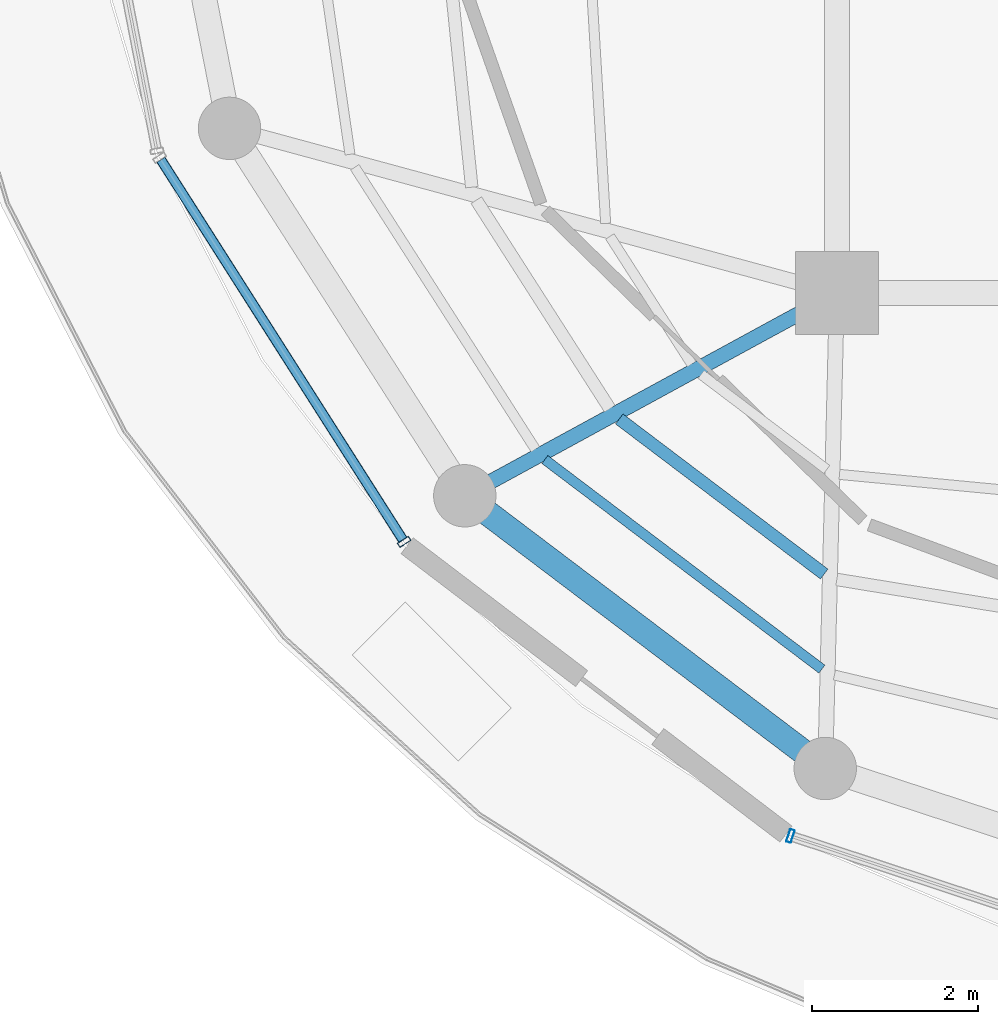
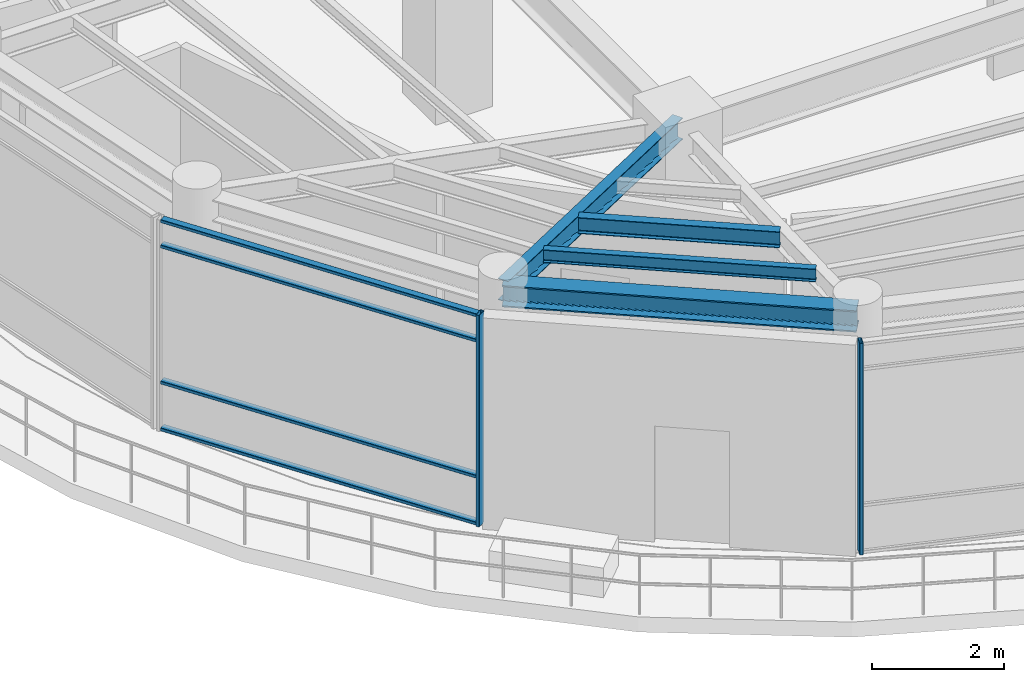
# One storey, part 2 of 20: 6 members, 4 beams, 2 elements without a shape of their own.
"""IFC4 building model written with IfcOpenShell, lengths in metres."""

from ifc_helpers import new_model, si_unit, direction, frame, origin, origin_2d, place, context, subcontext, project, spatial, hollow_rectangle, i_section, extrude, material, layer, layer_set, material_profile, profile_set, type_object, element, aggregate, save


model = new_model("IFC4")

# Units and contexts
model_context = context("Model", 3, precision=1e-05, world=origin(), true_north=direction((0.0, 1.0)))
body_context = subcontext(model_context, "Body", "Model", "MODEL_VIEW")
ifc_project = project(units=[si_unit("LENGTHUNIT", "METRE"), si_unit("AREAUNIT", "SQUARE_METRE"), si_unit("VOLUMEUNIT", "CUBIC_METRE"), si_unit("PLANEANGLEUNIT", "RADIAN"), si_unit("MASSUNIT", "GRAM", prefix="KILO")], contexts=[model_context])

# Site, building, storey
site_placement = place(None, origin())
site = spatial("IfcSite", under=ifc_project, at=site_placement, CompositionType="ELEMENT")
building_placement = place(site_placement, origin())
building = spatial("IfcBuilding", under=site, at=building_placement, Name="Kelanora Arch Commons", CompositionType="ELEMENT")
storey_placement = place(building_placement, frame((0.0, 0.0, 298.5)))
storey = spatial("IfcBuildingStorey", under=building, at=storey_placement, Name="L76", CompositionType="ELEMENT", Elevation=298.5)

# Beams
ifc_material_1 = material(Name="Steel S355", Category="steel")
ifc_material_profile_1 = material_profile(ifc_material_1, i_section(OverallWidth=0.14990234375, OverallDepth=0.300048828125, WebThickness=0.007080078125, FlangeThickness=0.0107421875, FilletRadius=0.014892578125, at=origin_2d()), Name="IPE300")
ifc_profile_set_1 = profile_set([ifc_material_profile_1], Name="Steel S355")
beam_type_1 = type_object("IfcBeamType", Name="BM-JST-01", PredefinedType="JOIST", material=ifc_profile_set_1)
beam_1_placement = place(storey_placement, frame((63.385009765625, 49.487060546875, 3.7900390625), z_axis=(0.797441333972, -0.603396485632, 0.0), x_axis=(0.603396485632, 0.797441333972, 0.0)))
element("IfcBeam", 1, at=beam_1_placement, inside=storey, type_object=beam_type_1, Name="Secondary Chord Joist BJB-22 L76", PredefinedType="JOIST", context=body_context, shape_type="SweptSolid", body=[
    extrude(i_section(OverallWidth=0.14990234375, OverallDepth=0.300048828125, WebThickness=0.007080078125, FlangeThickness=0.0107421875, FilletRadius=0.014892578125, at=origin_2d()), origin(), (0.0, 0.0, 1.0), 3.0888671875),
])
ifc_material_profile_2 = material_profile(ifc_material_1, i_section(OverallWidth=0.1201171875, OverallDepth=0.239990234375, WebThickness=0.006103515625, FlangeThickness=0.009765625, FilletRadius=0.014892578125, at=origin_2d()), Name="IPE240")
ifc_profile_set_2 = profile_set([ifc_material_profile_2], Name="Steel S355")
beam_type_2 = type_object("IfcBeamType", Name="BM-JST-02", PredefinedType="JOIST", material=ifc_profile_set_2)
beam_2_placement = place(storey_placement, frame((62.49072265625, 48.999755859375, 3.820068359375), z_axis=(0.797480905842, -0.603344184373, 0.0), x_axis=(0.603344184373, 0.797480905842, 0.0)))
element("IfcBeam", 2, at=beam_2_placement, inside=storey, type_object=beam_type_2, Name="Secondary Chord Joist BJC-22 L76", PredefinedType="JOIST", context=body_context, shape_type="SweptSolid", body=[
    extrude(i_section(OverallWidth=0.1201171875, OverallDepth=0.239990234375, WebThickness=0.006103515625, FlangeThickness=0.009765625, FilletRadius=0.014892578125, at=origin_2d()), origin(), (0.0, 0.0, 1.0), 4.175048828125),
])
ifc_material_profile_3 = material_profile(ifc_material_1, i_section(OverallWidth=0.179931640625, OverallDepth=0.39990234375, WebThickness=0.008544921875, FlangeThickness=0.013427734375, FilletRadius=0.02099609375, at=origin_2d()), Name="IPE400")
ifc_profile_set_3 = profile_set([ifc_material_profile_3], Name="Steel S355")
beam_type_3 = type_object("IfcBeamType", Name="BM-RAD-Z5", PredefinedType="BEAM", material=ifc_profile_set_3)
beam_3_placement = place(storey_placement, frame((66.0, 51.0, 3.739990234375), z_axis=(-0.878126355987, -0.478428785631, 0.0), x_axis=(0.478428785631, -0.878126355987, 0.0)))
element("IfcBeam", 3, at=beam_3_placement, inside=storey, type_object=beam_type_3, Name="Radial Floor Girder BR-22 L76", PredefinedType="BEAM", context=body_context, shape_type="SweptSolid", body=[
    extrude(i_section(OverallWidth=0.179931640625, OverallDepth=0.39990234375, WebThickness=0.008544921875, FlangeThickness=0.013427734375, FilletRadius=0.02099609375, at=origin_2d()), origin(), (0.0, 0.0, 1.0), 5.091796875),
])
ifc_material_profile_4 = material_profile(ifc_material_1, i_section(OverallWidth=0.300048828125, OverallDepth=0.39990234375, WebThickness=0.013427734375, FlangeThickness=0.02392578125, FilletRadius=0.027099609375, at=origin_2d()), Name="HEB400")
ifc_profile_set_4 = profile_set([ifc_material_profile_4], Name="Steel S355")
beam_type_4 = type_object("IfcBeamType", Name="BM-SPN-Z4", PredefinedType="SPANDREL", material=ifc_profile_set_4)
beam_4_placement = place(storey_placement, frame((61.52880859375, 48.56396484375, 3.739990234375), z_axis=(0.797441458309, -0.603396321309, 0.0), x_axis=(0.603396321309, 0.797441458309, 0.0)))
element("IfcBeam", 4, at=beam_4_placement, inside=storey, type_object=beam_type_4, Name="Perimeter Spandrel Beam BS-22 L76", PredefinedType="SPANDREL", context=body_context, shape_type="SweptSolid", body=[
    extrude(i_section(OverallWidth=0.300048828125, OverallDepth=0.39990234375, WebThickness=0.013427734375, FlangeThickness=0.02392578125, FilletRadius=0.027099609375, at=origin_2d()), origin(), (0.0, 0.0, 1.0), 5.431396484375),
])

# Curtain wall, member
ifc_material_2 = material(Name="Terracotta ceramic-fritted low-E glass and aluminium", Category="masonry")
ifc_layer = layer(ifc_material_2, 0.14990234375)
ifc_layer_set = layer_set([ifc_layer], Name="Terracotta ceramic-fritted low-E glass and aluminium")
curtain_wall_type = type_object("IfcCurtainWallType", Name="CW-SYS-06", PredefinedType="NOTDEFINED", material=ifc_layer_set)
curtain_wall_1_placement = place(storey_placement, origin())
curtain_wall_1 = element("IfcCurtainWall", 5, at=curtain_wall_1_placement, inside=storey, type_object=curtain_wall_type, Name="Unitised Curtain Wall L76-B10", PredefinedType="NOTDEFINED")
ifc_material_3 = material(Name="Powder-coated aluminium terracotta", Category="masonry")
ifc_material_profile_5 = material_profile(ifc_material_3, hollow_rectangle(XDim=0.159912109375, YDim=0.06005859375, WallThickness=0.0048828125, InnerFilletRadius=0.0048828125, OuterFilletRadius=0.010009765625, at=origin_2d()), Name="CWM160x60")
ifc_profile_set_5 = profile_set([ifc_material_profile_5], Name="Powder-coated aluminium terracotta")
member_type_1 = type_object("IfcMemberType", Name="CWM-STD", PredefinedType="MULLION", material=ifc_profile_set_5)
member_1_placement = place(storey_placement, frame((60.7998046875, 48.010498046875, 0.0), z_axis=(0.0, 0.0, 1.0), x_axis=(0.84359225554, 0.536984270154, 0.0)))
member_1 = element("IfcMember", 6, at=member_1_placement, type_object=member_type_1, Name="CW-06 mullion 2", PredefinedType="MULLION", context=body_context, shape_type="SweptSolid", body=[
    extrude(hollow_rectangle(XDim=0.159912109375, YDim=0.06005859375, WallThickness=0.0048828125, InnerFilletRadius=0.0048828125, OuterFilletRadius=0.010009765625, at=origin_2d()), origin(), (0.0, 0.0, 1.0), 3.925048828125),
])

curtain_wall_2_placement = place(storey_placement, origin())
curtain_wall_2 = element("IfcCurtainWall", 7, at=curtain_wall_2_placement, inside=storey, type_object=curtain_wall_type, Name="Unitised Curtain Wall L76-B12", PredefinedType="NOTDEFINED")
member_2_placement = place(storey_placement, frame((65.442626953125, 44.475830078125, 0.0), z_axis=(0.0, 0.0, 1.0), x_axis=(0.313466845323, 0.949599145368, 0.0)))
member_2 = element("IfcMember", 8, at=member_2_placement, type_object=member_type_1, Name="CW-06 mullion 1", PredefinedType="MULLION", context=body_context, shape_type="SweptSolid", body=[
    extrude(hollow_rectangle(XDim=0.159912109375, YDim=0.06005859375, WallThickness=0.0048828125, InnerFilletRadius=0.0048828125, OuterFilletRadius=0.010009765625, at=origin_2d()), origin(), (0.0, 0.0, 1.0), 3.925048828125),
])
aggregate(curtain_wall_2, [member_2])

# Member
ifc_material_profile_6 = material_profile(ifc_material_3, hollow_rectangle(XDim=0.1201171875, YDim=0.06005859375, WallThickness=0.0048828125, InnerFilletRadius=0.0048828125, OuterFilletRadius=0.010009765625, at=origin_2d()), Name="CWT120x60")
ifc_profile_set_6 = profile_set([ifc_material_profile_6], Name="Powder-coated aluminium terracotta")
member_type_2 = type_object("IfcMemberType", Name="CWT-STD", PredefinedType="USERDEFINED", material=ifc_profile_set_6)
member_3_placement = place(storey_placement, frame((57.877685546875, 52.60107421875, 0.030029296875), z_axis=(0.536992252766, -0.843587174197, 0.0), x_axis=(0.843587174197, 0.536992252766, 0.0)))
member_3 = element("IfcMember", 9, at=member_3_placement, type_object=member_type_2, Name="CW-06 transom 1.1", ObjectType="TRANSOM", PredefinedType="USERDEFINED", context=body_context, shape_type="SweptSolid", body=[
    extrude(hollow_rectangle(XDim=0.1201171875, YDim=0.06005859375, WallThickness=0.0048828125, InnerFilletRadius=0.0048828125, OuterFilletRadius=0.010009765625, at=origin_2d()), origin(), (0.0, 0.0, 1.0), 5.41162109375),
])

member_4_placement = place(storey_placement, frame((57.877685546875, 52.60107421875, 0.89990234375), z_axis=(0.536992252766, -0.843587174197, 0.0), x_axis=(0.843587174197, 0.536992252766, 0.0)))
member_4 = element("IfcMember", 10, at=member_4_placement, type_object=member_type_2, Name="CW-06 transom 1.2", ObjectType="TRANSOM", PredefinedType="USERDEFINED", context=body_context, shape_type="SweptSolid", body=[
    extrude(hollow_rectangle(XDim=0.1201171875, YDim=0.06005859375, WallThickness=0.0048828125, InnerFilletRadius=0.0048828125, OuterFilletRadius=0.010009765625, at=origin_2d()), origin(), (0.0, 0.0, 1.0), 5.41162109375),
])

member_5_placement = place(storey_placement, frame((57.877685546875, 52.60107421875, 3.425048828125), z_axis=(0.536992252766, -0.843587174197, 0.0), x_axis=(0.843587174197, 0.536992252766, 0.0)))
member_5 = element("IfcMember", 11, at=member_5_placement, type_object=member_type_2, Name="CW-06 transom 1.3", ObjectType="TRANSOM", PredefinedType="USERDEFINED", context=body_context, shape_type="SweptSolid", body=[
    extrude(hollow_rectangle(XDim=0.1201171875, YDim=0.06005859375, WallThickness=0.0048828125, InnerFilletRadius=0.0048828125, OuterFilletRadius=0.010009765625, at=origin_2d()), origin(), (0.0, 0.0, 1.0), 5.41162109375),
])

member_6_placement = place(storey_placement, frame((57.877685546875, 52.60107421875, 3.89501953125), z_axis=(0.536992252766, -0.843587174197, 0.0), x_axis=(0.843587174197, 0.536992252766, 0.0)))
member_6 = element("IfcMember", 12, at=member_6_placement, type_object=member_type_2, Name="CW-06 transom 1.4", ObjectType="TRANSOM", PredefinedType="USERDEFINED", context=body_context, shape_type="SweptSolid", body=[
    extrude(hollow_rectangle(XDim=0.1201171875, YDim=0.06005859375, WallThickness=0.0048828125, InnerFilletRadius=0.0048828125, OuterFilletRadius=0.010009765625, at=origin_2d()), origin(), (0.0, 0.0, 1.0), 5.41162109375),
])

aggregate(curtain_wall_1, [member_1, member_3, member_4, member_5, member_6])

save(model, "model.ifc")
